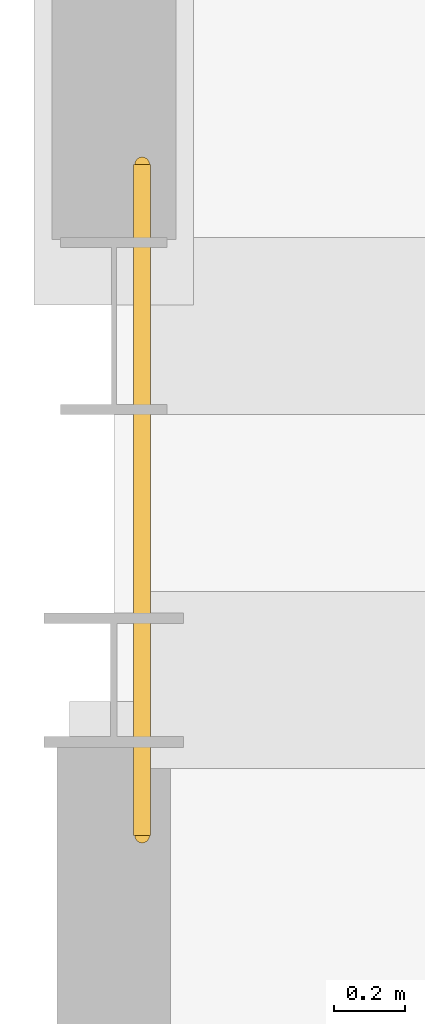
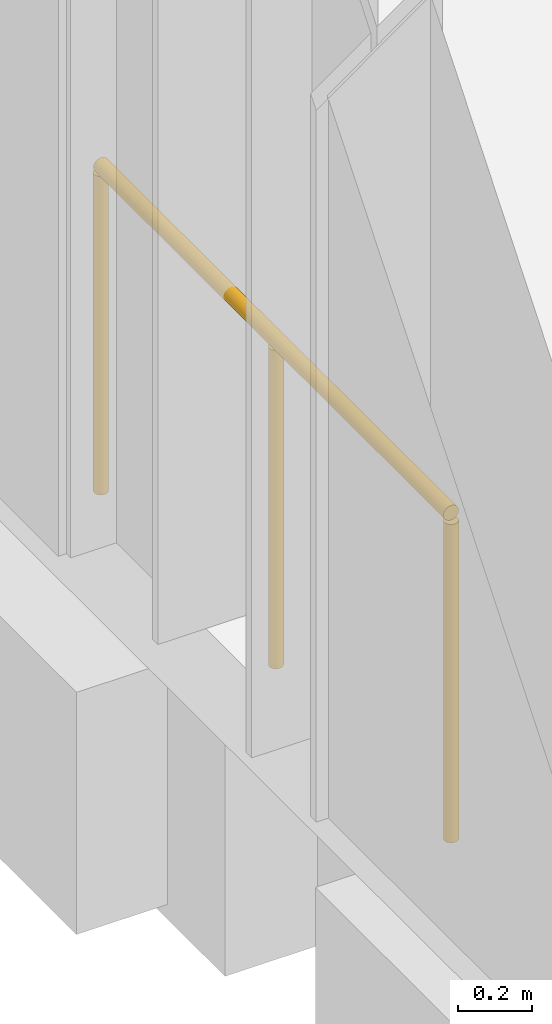
# One storey, part 107 of 129: 1 railing.
"""IFC4 building model written with IfcOpenShell, lengths in metres."""

import ifcopenshell
import ifcopenshell.guid

model = None  # the IFC model being written
_history = None  # IfcOwnerHistory: only IFC2X3 demands one
_inside = {}  # id of a spatial element -> (the spatial element, [elements in it])
_under = {}  # id of a project, library or spatial element -> (it, [spatial elements below it])
_declared = {}  # id of a project -> (the project, [libraries it declares])
_typed = {}  # id of a type object -> (the type object, [elements of that type])
_made_of = {}  # id of a material, layer set ... -> (it, [elements and type objects made of it])


def new_model(schema):
    """Start an empty IFC model of exactly this schema.

    Asked for "IFC4X3", IfcOpenShell would pick the latest addendum, in which some entities
    have other attributes; the version numbers below select the first issue.
    IFC2X3 requires an IfcOwnerHistory on every rooted entity: one is made here for all.
    """
    global model, _history
    if schema == "IFC4X3":
        model = ifcopenshell.file(schema_version=(4, 3, 0, 0))
    else:
        model = ifcopenshell.file(schema=schema)
    _inside.clear()
    _under.clear()
    _declared.clear()
    _typed.clear()
    _made_of.clear()
    _history = None
    if model.schema == "IFC2X3":
        org = make("IfcOrganization", Name="unknown")
        user = make(
            "IfcPersonAndOrganization",
            ThePerson=make("IfcPerson", FamilyName="unknown"),
            TheOrganization=org,
        )
        app = make(
            "IfcApplication",
            ApplicationDeveloper=org,
            Version="unknown",
            ApplicationFullName="unknown",
            ApplicationIdentifier="unknown",
        )
        _history = make(
            "IfcOwnerHistory",
            OwningUser=user,
            OwningApplication=app,
            ChangeAction="ADDED",
            CreationDate=0,
        )
    return model


def make(cls, **values):
    """One entity of the class cls with the attributes given. An attribute that is None is left unset."""
    return model.create_entity(
        cls, **{name: value for name, value in values.items() if value is not None}
    )


def rooted(cls, **values):
    """An entity with a GlobalId (a new one), such as an element, a storey or a relation."""
    return make(cls, GlobalId=ifcopenshell.guid.new(), OwnerHistory=_history, **values)


def si_unit(unit_type, name, prefix=None):
    """IfcSIUnit, for example si_unit("LENGTHUNIT", "METRE", prefix="MILLI")."""
    return make("IfcSIUnit", UnitType=unit_type, Prefix=prefix, Name=name)


def assignment(units):
    """IfcUnitAssignment: the units of a project."""
    return None if units is None else make("IfcUnitAssignment", Units=units)


def point(xyz):
    """IfcCartesianPoint."""
    return None if xyz is None else make("IfcCartesianPoint", Coordinates=xyz)


def direction(xyz):
    """IfcDirection."""
    return None if xyz is None else make("IfcDirection", DirectionRatios=xyz)


def frame(location, z_axis=None, x_axis=None):
    """IfcAxis2Placement3D, a coordinate frame: its origin and axes. An axis left out is left unset."""
    return make(
        "IfcAxis2Placement3D",
        Location=point(location),
        Axis=direction(z_axis),
        RefDirection=direction(x_axis),
    )


def frame_2d(location, x_axis=None):
    """IfcAxis2Placement2D, a coordinate frame in the plane: its origin and x axis."""
    return make(
        "IfcAxis2Placement2D", Location=point(location), RefDirection=direction(x_axis)
    )


def origin():
    """The frame at (0, 0, 0) with its axes left unset."""
    return frame((0.0, 0.0, 0.0))


def origin_2d():
    """The frame at (0, 0) in the plane with its x axis left unset."""
    return frame_2d((0.0, 0.0))


def place(relative_to, where):
    """IfcLocalPlacement: puts the frame where relative to a parent placement (None: the world)."""
    return make(
        "IfcLocalPlacement", PlacementRelTo=relative_to, RelativePlacement=where
    )


def context(
    kind, dimensions, precision=None, world=None, true_north=None, identifier=None
):
    """IfcGeometricRepresentationContext, for example the 3D "Model" context."""
    return make(
        "IfcGeometricRepresentationContext",
        ContextIdentifier=identifier,
        ContextType=kind,
        CoordinateSpaceDimension=dimensions,
        Precision=precision,
        WorldCoordinateSystem=world,
        TrueNorth=true_north,
    )


def subcontext(parent, identifier, kind, view, scale=None):
    """IfcGeometricRepresentationSubContext, for example "Body" below "Model"."""
    return make(
        "IfcGeometricRepresentationSubContext",
        ContextIdentifier=identifier,
        ContextType=kind,
        ParentContext=parent,
        TargetScale=scale,
        TargetView=view,
    )


def project(units=None, contexts=None):
    """IfcProject with its units and contexts."""
    return rooted(
        "IfcProject",
        Name="project",
        RepresentationContexts=contexts,
        UnitsInContext=assignment(units),
    )


def spatial(cls, under=None, at=None, **own):
    """A site, building, storey or space (cls), placed at a placement, below another one or the project."""
    s = rooted(cls, ObjectPlacement=at, **own)
    if under is not None:
        _under.setdefault(under.id(), (under, []))[1].append(s)
    return s


def profile(cls, at=None, kind="AREA", **sizes):
    """A parametric profile (cls). Its sizes go by their IFC names, for example OverallWidth=200.0."""
    return make(cls, ProfileType=kind, Position=at, **sizes)


def circle(**sizes):
    """IfcCircleProfileDef."""
    return profile("IfcCircleProfileDef", **sizes)


def extrude(swept, where, along, depth):
    """IfcExtrudedAreaSolid: the profile swept, set in the frame where, extruded along a direction by depth."""
    return make(
        "IfcExtrudedAreaSolid",
        SweptArea=swept,
        Position=where,
        ExtrudedDirection=direction(along),
        Depth=depth,
    )


def shape(context_of_items, identifier, shape_type, items):
    """IfcShapeRepresentation: the items that make up one representation, for example the "Body"."""
    return make(
        "IfcShapeRepresentation",
        ContextOfItems=context_of_items,
        RepresentationIdentifier=identifier,
        RepresentationType=shape_type,
        Items=items,
    )


def material(Name=None, Category=None):
    """IfcMaterial."""
    return make("IfcMaterial", Name=Name, Category=Category)


def made_of(thing, what):
    """Note that an element or type object is made of a material, layer set ...; save() writes the relation."""
    if what is not None:
        _made_of.setdefault(what.id(), (what, []))[1].append(thing)
    return thing


def type_object(cls, material=None, **own):
    """A type object (cls), such as IfcWallType, which elements share."""
    return made_of(rooted(cls, **own), material)


def element(
    cls,
    number,
    at=None,
    inside=None,
    cuts=None,
    type_object=None,
    material=None,
    context=None,
    identifier="Body",
    shape_type=None,
    held_by="IfcProductDefinitionShape",
    body=None,
    shapes=None,
    **own,
):
    """One element of the class cls, such as IfcWall. Its Tag is "e" and its number.

    at: its placement. inside: the storey or other place that contains it. cuts: it is an
    opening in that element (IfcRelVoidsElement). A single representation is given by context,
    identifier, shape_type and body (its items); several are given by shapes. held_by: the class
    of the entity that holds the representations. save() writes the other relations.
    """
    e = rooted(cls, Tag="e%d" % number, ObjectPlacement=at, **own)
    if body is not None:
        shapes = [shape(context, identifier, shape_type, body)]
    if shapes is not None:
        e.Representation = make(held_by, Representations=shapes)
    if inside is not None:
        _inside.setdefault(inside.id(), (inside, []))[1].append(e)
    if cuts is not None:
        rooted(
            "IfcRelVoidsElement", RelatingBuildingElement=cuts, RelatedOpeningElement=e
        )
    if type_object is not None:
        _typed.setdefault(type_object.id(), (type_object, []))[1].append(e)
    return made_of(e, material)


def aggregate(whole, parts):
    """IfcRelAggregates: a whole, such as a stair, and the parts it consists of."""
    return rooted("IfcRelAggregates", RelatingObject=whole, RelatedObjects=parts)


def save(model, path):
    """Write the relations noted so far, then the file.

    IfcRelAggregates (storeys below a building ...), IfcRelContainedInSpatialStructure (elements
    in a storey), IfcRelDefinesByType, IfcRelAssociatesMaterial and IfcRelDeclares: one each for
    every whole, place, type object, material and project.
    """
    for whole, parts in _under.values():
        aggregate(whole, parts)
    for where, things in _inside.values():
        rooted(
            "IfcRelContainedInSpatialStructure",
            RelatedElements=things,
            RelatingStructure=where,
        )
    for kind, things in _typed.values():
        rooted("IfcRelDefinesByType", RelatedObjects=things, RelatingType=kind)
    for what, things in _made_of.values():
        rooted("IfcRelAssociatesMaterial", RelatedObjects=things, RelatingMaterial=what)
    for by, libraries in _declared.values():
        rooted("IfcRelDeclares", RelatingContext=by, RelatedDefinitions=libraries)
    model.write(path)


model = new_model("IFC4")

# Units and contexts
model_context = context("Model", 3, precision=1e-05, world=origin(), true_north=direction((0.0, 1.0)))
body_context = subcontext(model_context, "Body", "Model", "MODEL_VIEW")
ifc_project = project(units=[si_unit("LENGTHUNIT", "METRE"), si_unit("AREAUNIT", "SQUARE_METRE"), si_unit("VOLUMEUNIT", "CUBIC_METRE"), si_unit("PLANEANGLEUNIT", "RADIAN"), si_unit("MASSUNIT", "GRAM", prefix="KILO")], contexts=[model_context])

# Site, building, storey
site_placement = place(None, origin())
site = spatial("IfcSite", under=ifc_project, at=site_placement, CompositionType="ELEMENT")
building_placement = place(site_placement, origin())
building = spatial("IfcBuilding", under=site, at=building_placement, Name="Koshinbarg Plaza Stadium", CompositionType="ELEMENT")
storey_placement = place(building_placement, frame((0.0, 0.0, 5.39990234375)))
storey = spatial("IfcBuildingStorey", under=building, at=storey_placement, Name="L01", CompositionType="ELEMENT", Elevation=5.39990234375)

# Railing
ifc_material = material(Name="Toughened laminated glass and stainless steel sightline balustrade", Category="steel")
railing_type = type_object("IfcRailingType", Name="RL-BOWL-1100", PredefinedType="BALUSTRADE", material=ifc_material)
railing_placement = place(storey_placement, frame((4.080078125, 126.060791015625, 0.0)))
element("IfcRailing", 1, at=railing_placement, inside=storey, type_object=railing_type, Name="L01 deck edge safety balustrade 0095", PredefinedType="BALUSTRADE", context=body_context, shape_type="SweptSolid", body=[
    extrude(circle(Radius=0.02392578125, at=origin_2d()), frame((0.0, 0.0, 1.076171875), z_axis=(0.0, 1.0, 0.0), x_axis=(-1.0, 0.0, 0.0)), (0.0, 0.0, 1.0), 1.895751953125),
    extrude(circle(Radius=0.02099609375, at=origin_2d()), origin(), (0.0, 0.0, 1.0), 1.052001953125),
    extrude(circle(Radius=0.02099609375, at=origin_2d()), frame((0.0, 0.94775390625, 0.0)), (0.0, 0.0, 1.0), 1.052001953125),
    extrude(circle(Radius=0.02099609375, at=origin_2d()), frame((0.0, 1.895751953125, 0.0)), (0.0, 0.0, 1.0), 1.052001953125),
])

save(model, "model.ifc")
